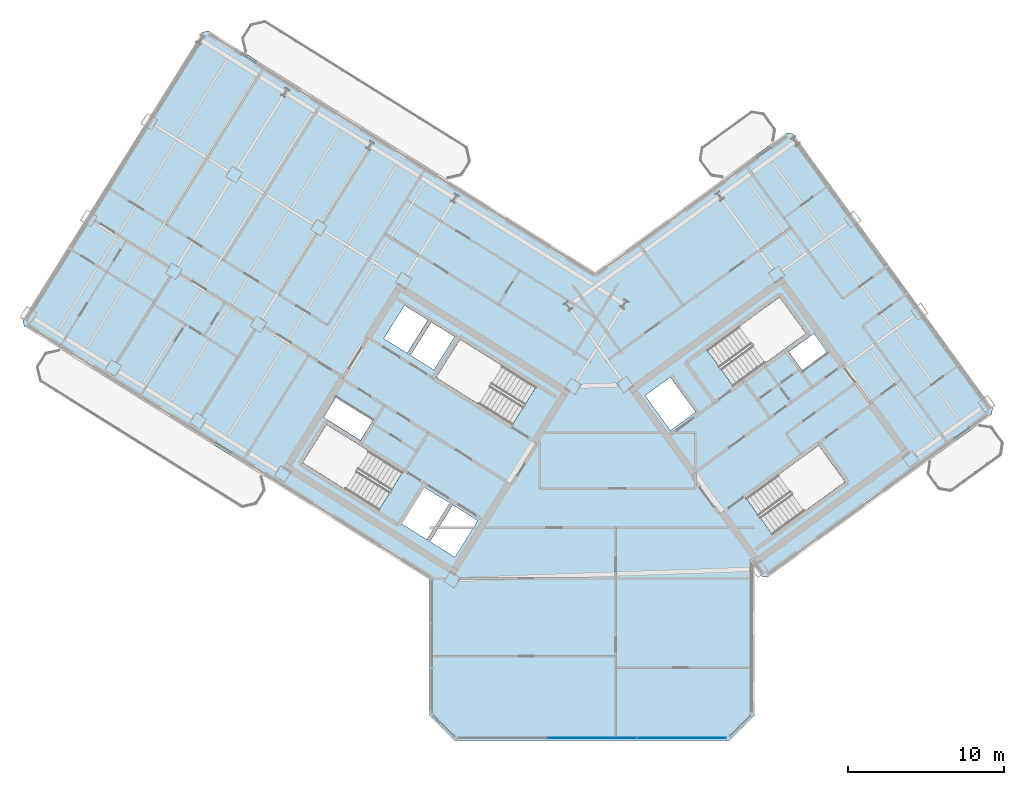
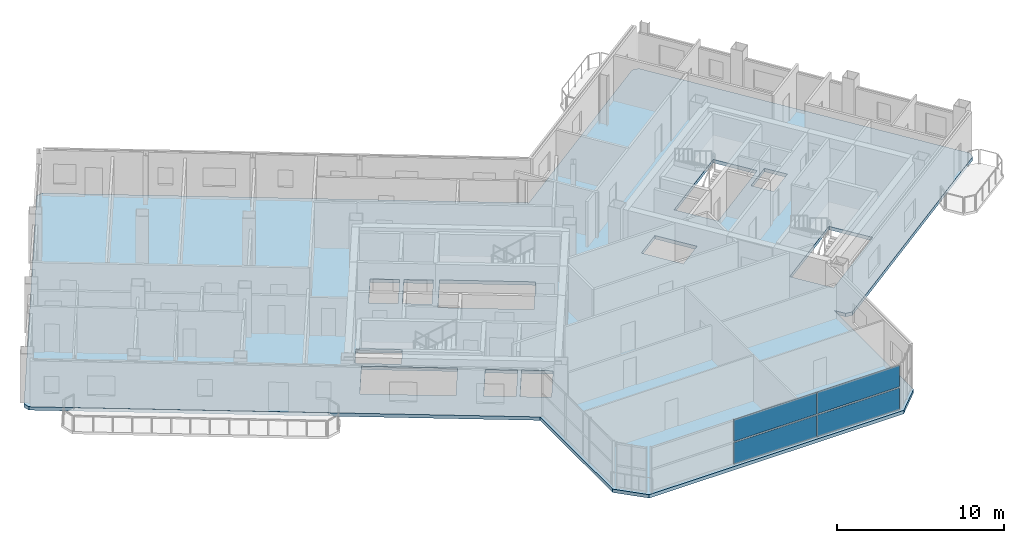
# One storey, part 9 of 21: 4 plates, 1 slab, 1 element without a shape of its own.
"""IFC4 building model written with IfcOpenShell, lengths in metres."""

from ifc_helpers import new_model, si_unit, direction, frame, origin, origin_2d, place, context, subcontext, project, spatial, polyline, rectangle, outline, extrude, source, transform, mapped, material, layer, layer_set, type_object, element, aggregate, save


model = new_model("IFC4")

# Units and contexts
model_context = context("Model", 3, precision=1e-05, world=origin(), true_north=direction((0.0, 1.0)))
body_context = subcontext(model_context, "Body", "Model", "MODEL_VIEW")
ifc_project = project(units=[si_unit("LENGTHUNIT", "METRE"), si_unit("AREAUNIT", "SQUARE_METRE"), si_unit("VOLUMEUNIT", "CUBIC_METRE"), si_unit("PLANEANGLEUNIT", "RADIAN"), si_unit("MASSUNIT", "GRAM", prefix="KILO")], contexts=[model_context])

# Site, building, storey
site_placement = place(None, origin())
site = spatial("IfcSite", under=ifc_project, at=site_placement, CompositionType="ELEMENT")
building_placement = place(site_placement, origin())
building = spatial("IfcBuilding", under=site, at=building_placement, Name="Tlacorven Tower", CompositionType="ELEMENT")
storey_placement = place(building_placement, frame((0.0, 0.0, 207.60009765625)))
storey = spatial("IfcBuildingStorey", under=building, at=storey_placement, Name="L52", CompositionType="ELEMENT", Elevation=207.60009765625)

# Slab
ifc_material_1 = material(Name="Concrete C40/50", Category="concrete")
ifc_layer_1 = layer(ifc_material_1, 0.25)
ifc_layer_set_1 = layer_set([ifc_layer_1], Name="Concrete C40/50")
slab_type = type_object("IfcSlabType", Name="SL-TWR-250", PredefinedType="FLOOR", material=ifc_layer_set_1)
slab_placement = place(storey_placement, frame((0.0, 0.0, -0.25)))
element("IfcSlab", 1, at=slab_placement, inside=storey, type_object=slab_type, Name="L52 Boomerang Tower Floor Slab", PredefinedType="FLOOR", context=body_context, shape_type="SweptSolid", body=[
    extrude(outline(polyline([(52.39990234375, 3.39990234375), (50.800048828125, 1.800048828125), (33.199951171875, 1.800048828125), (31.60009765625, 3.39990234375), (31.60009765625, 12.09423828125), (5.62451171875, 28.32568359375), (5.529052734375, 28.739013671875), (17.0390625, 47.15869140625), (17.452392578125, 47.254150390625), (42.19970703125, 31.790283203125), (54.481689453125, 40.713623046875), (54.90087890625, 40.647216796875), (67.66748046875, 23.075439453125), (67.60107421875, 22.656494140625), (53.265380859375, 12.24072265625), (52.846435546875, 12.30712890625), (52.39990234375, 12.921630859375), (52.39990234375, 3.39990234375)]), holes=[polyline([(29.865478515625, 18.979736328125), (24.9892578125, 22.02685546875), (23.463134765625, 19.58447265625), (28.33935546875, 16.537353515625), (29.865478515625, 18.979736328125)]), polyline([(38.4169921875, 24.4375), (33.540771484375, 27.484375), (32.0146484375, 25.0419921875), (36.890869140625, 21.9951171875), (38.4169921875, 24.4375)]), polyline([(51.05908203125, 24.481689453125), (55.7109375, 27.861572265625), (54.01806640625, 30.19140625), (49.3662109375, 26.811767578125), (51.05908203125, 24.481689453125)]), polyline([(53.56298828125, 14.978759765625), (58.21484375, 18.3583984375), (56.52197265625, 20.6884765625), (51.8701171875, 17.30859375), (53.56298828125, 14.978759765625)]), polyline([(34.682373046875, 15.87548828125), (33.088134765625, 16.871826171875), (31.62548828125, 14.531005859375), (33.2197265625, 13.534912109375), (34.682373046875, 15.87548828125)]), polyline([(32.884521484375, 16.9990234375), (31.2392578125, 18.02685546875), (29.77685546875, 15.686279296875), (31.421875, 14.658203125), (32.884521484375, 16.9990234375)]), polyline([(47.0234375, 21.648681640625), (48.6416015625, 22.82421875), (47.019287109375, 25.05712890625), (45.401123046875, 23.881591796875), (47.0234375, 21.648681640625)]), polyline([(33.197265625, 27.65185546875), (31.704833984375, 28.58447265625), (30.3798828125, 26.46435546875), (31.87255859375, 25.53173828125), (33.197265625, 27.65185546875)]), polyline([(31.484375, 28.722412109375), (29.99169921875, 29.655029296875), (28.6669921875, 27.534912109375), (30.159423828125, 26.602294921875), (31.484375, 28.722412109375)]), polyline([(27.96142578125, 22.2919921875), (25.603759765625, 23.76513671875), (24.80908203125, 22.4931640625), (27.16650390625, 21.02001953125), (27.96142578125, 22.2919921875)]), polyline([(55.490478515625, 25.4765625), (57.092529296875, 26.640380859375), (56.210693359375, 27.85400390625), (54.60888671875, 26.690185546875), (55.490478515625, 25.4765625)])]), origin(), (0.0, 0.0, 1.0), 0.25),
])

# Curtain wall, plates
ifc_material_2 = material(Name="Dark solar low-E double glazing in aluminium frame", Category="aluminium")
curtain_wall_type = type_object("IfcCurtainWallType", Name="CW-TWR-HIGH", PredefinedType="USERDEFINED", material=ifc_material_2)
curtain_wall_placement = place(storey_placement, origin())
curtain_wall = element("IfcCurtainWall", 2, at=curtain_wall_placement, inside=storey, type_object=curtain_wall_type, Name="L52 CW-TWR-HIGH Curtain Wall 237", ObjectType="UNITISED CURTAIN WALL", PredefinedType="USERDEFINED")
ifc_material_3 = material(Name="High-wind dark solar tempered low-E glazing", Category="glass")
ifc_layer_2 = layer(ifc_material_3, 0.028076171875)
ifc_layer_set_2 = layer_set([ifc_layer_2], Name="High-wind dark solar tempered low-E glazing")
plate_type = type_object("IfcPlateType", Name="CWP-03", PredefinedType="CURTAIN_PANEL", material=ifc_layer_set_2)
shared_shape_1 = source(origin(), body_context, "Body", "SweptSolid", [
    extrude(rectangle(XDim=5.683837890625, YDim=0.028076171875, at=origin_2d()), origin(), (0.0, 0.0, 1.0), 1.572998046875),
])
plate_1_placement = place(storey_placement, frame((47.74072265625, 1.9599609375, 0.05078125), z_axis=(0.0, 0.0, 1.0), x_axis=(-1.0, 0.0, 0.0)))
plate_1 = element("IfcPlate", 3, at=plate_1_placement, type_object=plate_type, Name="CW-L52-237 Glazing Panel 1", PredefinedType="CURTAIN_PANEL", context=body_context, shape_type="MappedRepresentation", body=[
    mapped(shared_shape_1, transform((0.0, 0.0, 0.0), scale=1.0)),
])
plate_2_placement = place(storey_placement, frame((47.74072265625, 1.9599609375, 1.72607421875), z_axis=(0.0, 0.0, 1.0), x_axis=(-1.0, 0.0, 0.0)))
plate_2 = element("IfcPlate", 4, at=plate_2_placement, type_object=plate_type, Name="CW-L52-237 Glazing Panel 2", PredefinedType="CURTAIN_PANEL", context=body_context, shape_type="MappedRepresentation", body=[
    mapped(shared_shape_1, transform((0.0, 0.0, 0.0), scale=1.0)),
])
shared_shape_2 = source(origin(), body_context, "Body", "SweptSolid", [
    extrude(rectangle(XDim=5.7138671875, YDim=0.028076171875, at=origin_2d()), origin(), (0.0, 0.0, 1.0), 1.572998046875),
])
plate_3_placement = place(storey_placement, frame((42.0, 1.9599609375, 0.05078125), z_axis=(0.0, 0.0, 1.0), x_axis=(-1.0, 0.0, 0.0)))
plate_3 = element("IfcPlate", 5, at=plate_3_placement, type_object=plate_type, Name="CW-L52-237 Glazing Panel 3", PredefinedType="CURTAIN_PANEL", context=body_context, shape_type="MappedRepresentation", body=[
    mapped(shared_shape_2, transform((0.0, 0.0, 0.0), scale=1.0)),
])
plate_4_placement = place(storey_placement, frame((42.0, 1.9599609375, 1.72607421875), z_axis=(0.0, 0.0, 1.0), x_axis=(-1.0, 0.0, 0.0)))
plate_4 = element("IfcPlate", 6, at=plate_4_placement, type_object=plate_type, Name="CW-L52-237 Glazing Panel 4", PredefinedType="CURTAIN_PANEL", context=body_context, shape_type="MappedRepresentation", body=[
    mapped(shared_shape_2, transform((0.0, 0.0, 0.0), scale=1.0)),
])
aggregate(curtain_wall, [plate_1, plate_2, plate_3, plate_4])

save(model, "model.ifc")
